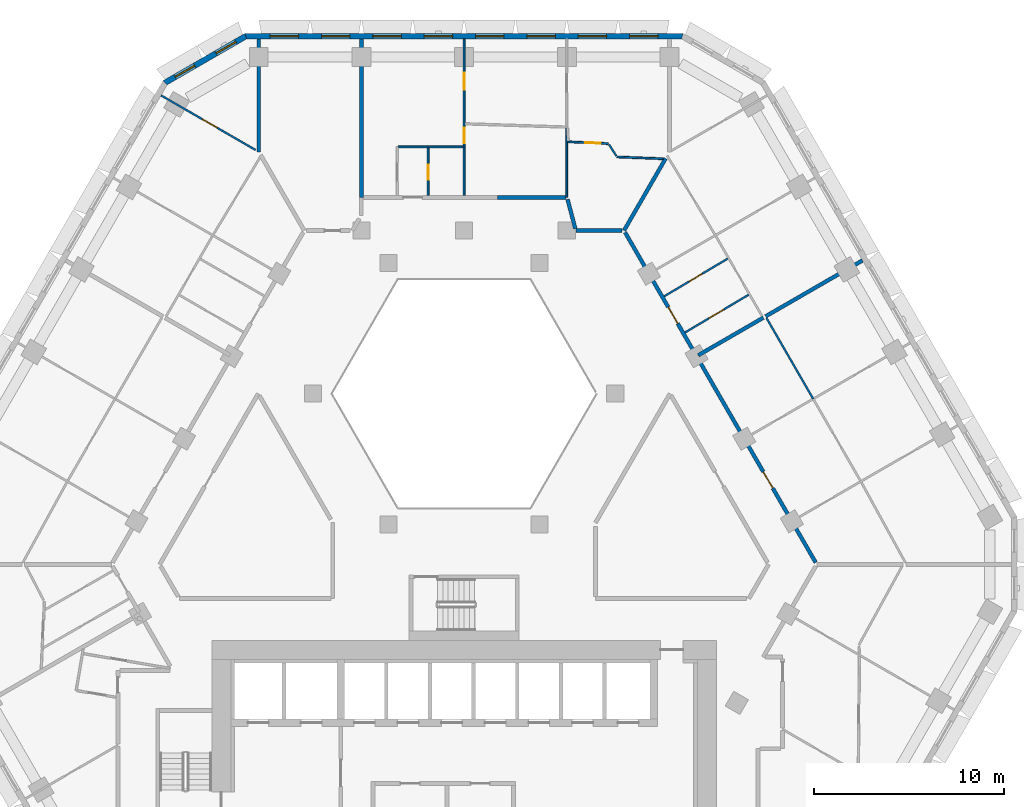
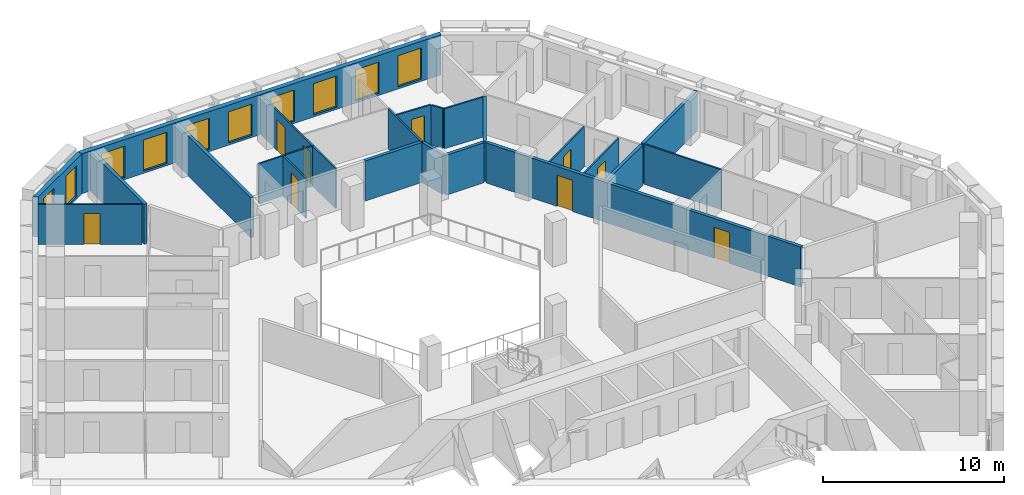
# One storey, part 9 of 18: 23 walls, 10 windows, 9 doors, 19 openings.
"""IFC4 building model written with IfcOpenShell, lengths in metres."""

from ifc_helpers import new_model, si_unit, direction, frame, frame_2d, origin, place, context, subcontext, project, spatial, polyline, rectangle, outline, extrude, material, layer, layer_set, type_object, element, fill, save


model = new_model("IFC4")

# Units and contexts
model_context = context("Model", 3, precision=1e-05, world=origin(), true_north=direction((0.0, 1.0)))
body_context = subcontext(model_context, "Body", "Model", "MODEL_VIEW")
ifc_project = project(units=[si_unit("LENGTHUNIT", "METRE"), si_unit("AREAUNIT", "SQUARE_METRE"), si_unit("VOLUMEUNIT", "CUBIC_METRE"), si_unit("PLANEANGLEUNIT", "RADIAN"), si_unit("MASSUNIT", "GRAM", prefix="KILO")], contexts=[model_context])

# Site, building, storey
site_placement = place(None, origin())
site = spatial("IfcSite", under=ifc_project, at=site_placement, CompositionType="ELEMENT")
building_placement = place(site_placement, origin())
building = spatial("IfcBuilding", under=site, at=building_placement, Name="Beryl Residences", CompositionType="ELEMENT")
storey_placement = place(building_placement, frame((0.0, 0.0, 99.0)))
storey = spatial("IfcBuildingStorey", under=building, at=storey_placement, Name="L30", CompositionType="ELEMENT", Elevation=99.0)

# Wall, openings, windows
ifc_material_1 = material(Name="Composite metal panel with mineral wool insulation")
ifc_layer_1 = layer(ifc_material_1, 0.300048828125)
ifc_layer_set_1 = layer_set([ifc_layer_1], Name="ES1 pale metal composite panel wall 300 mm")
wall_type_1 = type_object("IfcWallType", Name="ES1 pale metal composite panel wall 300 mm", PredefinedType="SOLIDWALL", material=ifc_layer_set_1)
wall_1_placement = place(storey_placement, frame((11.547119140625, 26.85009765625, 0.0), z_axis=(0.0, 0.0, 1.0), x_axis=(-1.0, 0.0, 0.0)))
wall_1 = element("IfcWall", 1, at=wall_1_placement, inside=storey, type_object=wall_type_1, Name="ES1 external wall L30 N", PredefinedType="SOLIDWALL", context=body_context, shape_type="SweptSolid", body=[
    extrude(outline(polyline([(0.0, -0.14990234375), (23.09423828125, -0.14990234375), (23.013916015625, 0.14990234375), (0.080322265625, 0.14990234375), (0.0, -0.14990234375)])), origin(), (0.0, 0.0, 1.0), 2.699951171875),
])
opening_1_placement = place(wall_1_placement, frame((1.324951171875, 0.0, 0.14990234375)))
opening_1 = element("IfcOpeningElement", 2, at=opening_1_placement, cuts=wall_1, Name="Opening W1", PredefinedType="OPENING", context=body_context, shape_type="SweptSolid", body=[
    extrude(rectangle(XDim=1.5, YDim=2.10009765625, at=frame_2d((0.75, 1.050048828125))), frame((0.0, 0.159912109375, 0.0), z_axis=(0.0, -1.0, 0.0), x_axis=(1.0, 0.0, 0.0)), (0.0, 0.0, 1.0), 0.320068359375),
])
opening_2_placement = place(wall_1_placement, frame((4.031982421875, 0.0, 0.14990234375)))
opening_2 = element("IfcOpeningElement", 3, at=opening_2_placement, cuts=wall_1, Name="Opening W1", PredefinedType="OPENING", context=body_context, shape_type="SweptSolid", body=[
    extrude(rectangle(XDim=1.5, YDim=2.10009765625, at=frame_2d((0.75, 1.050048828125))), frame((0.0, 0.159912109375, 0.0), z_axis=(0.0, -1.0, 0.0), x_axis=(1.0, 0.0, 0.0)), (0.0, 0.0, 1.0), 0.320068359375),
])
opening_3_placement = place(wall_1_placement, frame((6.738037109375, 0.0, 0.14990234375)))
opening_3 = element("IfcOpeningElement", 4, at=opening_3_placement, cuts=wall_1, Name="Opening W1", PredefinedType="OPENING", context=body_context, shape_type="SweptSolid", body=[
    extrude(rectangle(XDim=1.5, YDim=2.10009765625, at=frame_2d((0.75, 1.050048828125))), frame((0.0, 0.159912109375, 0.0), z_axis=(0.0, -1.0, 0.0), x_axis=(1.0, 0.0, 0.0)), (0.0, 0.0, 1.0), 0.320068359375),
])
opening_4_placement = place(wall_1_placement, frame((9.445068359375, 0.0, 0.14990234375)))
opening_4 = element("IfcOpeningElement", 5, at=opening_4_placement, cuts=wall_1, Name="Opening W1", PredefinedType="OPENING", context=body_context, shape_type="SweptSolid", body=[
    extrude(rectangle(XDim=1.5, YDim=2.10009765625, at=frame_2d((0.75, 1.050048828125))), frame((0.0, 0.159912109375, 0.0), z_axis=(0.0, -1.0, 0.0), x_axis=(1.0, 0.0, 0.0)), (0.0, 0.0, 1.0), 0.320068359375),
])
opening_5_placement = place(wall_1_placement, frame((12.15087890625, 0.0, 0.14990234375)))
opening_5 = element("IfcOpeningElement", 6, at=opening_5_placement, cuts=wall_1, Name="Opening W1", PredefinedType="OPENING", context=body_context, shape_type="SweptSolid", body=[
    extrude(rectangle(XDim=1.5, YDim=2.10009765625, at=frame_2d((0.75, 1.050048828125))), frame((0.0, 0.159912109375, 0.0), z_axis=(0.0, -1.0, 0.0), x_axis=(1.0, 0.0, 0.0)), (0.0, 0.0, 1.0), 0.320068359375),
])
opening_6_placement = place(wall_1_placement, frame((14.85791015625, 0.0, 0.14990234375)))
opening_6 = element("IfcOpeningElement", 7, at=opening_6_placement, cuts=wall_1, Name="Opening W1", PredefinedType="OPENING", context=body_context, shape_type="SweptSolid", body=[
    extrude(rectangle(XDim=1.5, YDim=2.10009765625, at=frame_2d((0.75, 1.050048828125))), frame((0.0, 0.159912109375, 0.0), z_axis=(0.0, -1.0, 0.0), x_axis=(1.0, 0.0, 0.0)), (0.0, 0.0, 1.0), 0.320068359375),
])
opening_7_placement = place(wall_1_placement, frame((17.56396484375, 0.0, 0.14990234375)))
opening_7 = element("IfcOpeningElement", 8, at=opening_7_placement, cuts=wall_1, Name="Opening W1", PredefinedType="OPENING", context=body_context, shape_type="SweptSolid", body=[
    extrude(rectangle(XDim=1.5, YDim=2.10009765625, at=frame_2d((0.75, 1.050048828125))), frame((0.0, 0.159912109375, 0.0), z_axis=(0.0, -1.0, 0.0), x_axis=(1.0, 0.0, 0.0)), (0.0, 0.0, 1.0), 0.320068359375),
])
opening_8_placement = place(wall_1_placement, frame((20.27099609375, 0.0, 0.14990234375)))
opening_8 = element("IfcOpeningElement", 9, at=opening_8_placement, cuts=wall_1, Name="Opening W1", PredefinedType="OPENING", context=body_context, shape_type="SweptSolid", body=[
    extrude(rectangle(XDim=1.5, YDim=2.10009765625, at=frame_2d((0.75, 1.050048828125))), frame((0.0, 0.159912109375, 0.0), z_axis=(0.0, -1.0, 0.0), x_axis=(1.0, 0.0, 0.0)), (0.0, 0.0, 1.0), 0.320068359375),
])
ifc_material_2 = material(Name="Aluminium and clear glass", Category="aluminium")
window_type_1 = type_object("IfcWindowType", Name="W1 cell window 1500 x 2100 mm", PartitioningType="SINGLE_PANEL", PredefinedType="WINDOW", material=ifc_material_2)
window_1_placement = place(opening_1_placement, origin())
window_1 = element("IfcWindow", 10, at=window_1_placement, inside=storey, type_object=window_type_1, Name="W1 window L30 N 1", OverallHeight=2.10009765625, OverallWidth=1.5, PartitioningType="SINGLE_PANEL", PredefinedType="WINDOW", context=body_context, shape_type="SweptSolid", body=[
    extrude(rectangle(XDim=1.5, YDim=2.10009765625, at=frame_2d((0.75, 1.050048828125))), frame((0.0, 0.030029296875, 0.0), z_axis=(0.0, -1.0, 0.0), x_axis=(1.0, 0.0, 0.0)), (0.0, 0.0, 1.0), 0.06005859375),
])
fill(opening_1, window_1)
window_2_placement = place(opening_2_placement, origin())
window_2 = element("IfcWindow", 11, at=window_2_placement, inside=storey, type_object=window_type_1, Name="W1 window L30 N 2", OverallHeight=2.10009765625, OverallWidth=1.5, PartitioningType="SINGLE_PANEL", PredefinedType="WINDOW", context=body_context, shape_type="SweptSolid", body=[
    extrude(rectangle(XDim=1.5, YDim=2.10009765625, at=frame_2d((0.75, 1.050048828125))), frame((0.0, 0.030029296875, 0.0), z_axis=(0.0, -1.0, 0.0), x_axis=(1.0, 0.0, 0.0)), (0.0, 0.0, 1.0), 0.06005859375),
])
fill(opening_2, window_2)
window_3_placement = place(opening_3_placement, origin())
window_3 = element("IfcWindow", 12, at=window_3_placement, inside=storey, type_object=window_type_1, Name="W1 window L30 N 3", OverallHeight=2.10009765625, OverallWidth=1.5, PartitioningType="SINGLE_PANEL", PredefinedType="WINDOW", context=body_context, shape_type="SweptSolid", body=[
    extrude(rectangle(XDim=1.5, YDim=2.10009765625, at=frame_2d((0.75, 1.050048828125))), frame((0.0, 0.030029296875, 0.0), z_axis=(0.0, -1.0, 0.0), x_axis=(1.0, 0.0, 0.0)), (0.0, 0.0, 1.0), 0.06005859375),
])
fill(opening_3, window_3)
window_4_placement = place(opening_4_placement, origin())
window_4 = element("IfcWindow", 13, at=window_4_placement, inside=storey, type_object=window_type_1, Name="W1 window L30 N 4", OverallHeight=2.10009765625, OverallWidth=1.5, PartitioningType="SINGLE_PANEL", PredefinedType="WINDOW", context=body_context, shape_type="SweptSolid", body=[
    extrude(rectangle(XDim=1.5, YDim=2.10009765625, at=frame_2d((0.75, 1.050048828125))), frame((0.0, 0.030029296875, 0.0), z_axis=(0.0, -1.0, 0.0), x_axis=(1.0, 0.0, 0.0)), (0.0, 0.0, 1.0), 0.06005859375),
])
fill(opening_4, window_4)
window_5_placement = place(opening_5_placement, origin())
window_5 = element("IfcWindow", 14, at=window_5_placement, inside=storey, type_object=window_type_1, Name="W1 window L30 N 5", OverallHeight=2.10009765625, OverallWidth=1.5, PartitioningType="SINGLE_PANEL", PredefinedType="WINDOW", context=body_context, shape_type="SweptSolid", body=[
    extrude(rectangle(XDim=1.5, YDim=2.10009765625, at=frame_2d((0.75, 1.050048828125))), frame((0.0, 0.030029296875, 0.0), z_axis=(0.0, -1.0, 0.0), x_axis=(1.0, 0.0, 0.0)), (0.0, 0.0, 1.0), 0.06005859375),
])
fill(opening_5, window_5)
window_6_placement = place(opening_6_placement, origin())
window_6 = element("IfcWindow", 15, at=window_6_placement, inside=storey, type_object=window_type_1, Name="W1 window L30 N 6", OverallHeight=2.10009765625, OverallWidth=1.5, PartitioningType="SINGLE_PANEL", PredefinedType="WINDOW", context=body_context, shape_type="SweptSolid", body=[
    extrude(rectangle(XDim=1.5, YDim=2.10009765625, at=frame_2d((0.75, 1.050048828125))), frame((0.0, 0.030029296875, 0.0), z_axis=(0.0, -1.0, 0.0), x_axis=(1.0, 0.0, 0.0)), (0.0, 0.0, 1.0), 0.06005859375),
])
fill(opening_6, window_6)
window_7_placement = place(opening_7_placement, origin())
window_7 = element("IfcWindow", 16, at=window_7_placement, inside=storey, type_object=window_type_1, Name="W1 window L30 N 7", OverallHeight=2.10009765625, OverallWidth=1.5, PartitioningType="SINGLE_PANEL", PredefinedType="WINDOW", context=body_context, shape_type="SweptSolid", body=[
    extrude(rectangle(XDim=1.5, YDim=2.10009765625, at=frame_2d((0.75, 1.050048828125))), frame((0.0, 0.030029296875, 0.0), z_axis=(0.0, -1.0, 0.0), x_axis=(1.0, 0.0, 0.0)), (0.0, 0.0, 1.0), 0.06005859375),
])
fill(opening_7, window_7)
window_8_placement = place(opening_8_placement, origin())
window_8 = element("IfcWindow", 17, at=window_8_placement, inside=storey, type_object=window_type_1, Name="W1 window L30 N 8", OverallHeight=2.10009765625, OverallWidth=1.5, PartitioningType="SINGLE_PANEL", PredefinedType="WINDOW", context=body_context, shape_type="SweptSolid", body=[
    extrude(rectangle(XDim=1.5, YDim=2.10009765625, at=frame_2d((0.75, 1.050048828125))), frame((0.0, 0.030029296875, 0.0), z_axis=(0.0, -1.0, 0.0), x_axis=(1.0, 0.0, 0.0)), (0.0, 0.0, 1.0), 0.06005859375),
])
fill(opening_8, window_8)

wall_2_placement = place(storey_placement, frame((-11.471923828125, 26.8701171875, 0.0), z_axis=(0.0, 0.0, 1.0), x_axis=(-0.866022959057, -0.500004234368, 0.0)))
wall_2 = element("IfcWall", 18, at=wall_2_placement, inside=storey, type_object=wall_type_1, Name="ES1 external wall L30 N-NW", PredefinedType="SOLIDWALL", context=body_context, shape_type="SweptSolid", body=[
    extrude(outline(polyline([(0.0, -0.14990234375), (5.0, -0.14990234375), (4.919677734375, 0.14990234375), (0.080322265625, 0.14990234375), (0.0, -0.14990234375)])), origin(), (0.0, 0.0, 1.0), 2.699951171875),
])
opening_9_placement = place(wall_2_placement, frame((0.64990234375, 0.0, 0.14990234375)))
opening_9 = element("IfcOpeningElement", 19, at=opening_9_placement, cuts=wall_2, Name="Opening W2", PredefinedType="OPENING", context=body_context, shape_type="SweptSolid", body=[
    extrude(rectangle(XDim=1.199951171875, YDim=2.10009765625, at=frame_2d((0.60009765625, 1.050048828125))), frame((0.0, 0.159912109375, 0.0), z_axis=(0.0, -1.0, 0.0), x_axis=(1.0, 0.0, 0.0)), (0.0, 0.0, 1.0), 0.320068359375),
])
opening_10_placement = place(wall_2_placement, frame((3.14892578125, 0.0, 0.14990234375)))
opening_10 = element("IfcOpeningElement", 20, at=opening_10_placement, cuts=wall_2, Name="Opening W2", PredefinedType="OPENING", context=body_context, shape_type="SweptSolid", body=[
    extrude(rectangle(XDim=1.199951171875, YDim=2.10009765625, at=frame_2d((0.60009765625, 1.050048828125))), frame((0.0, 0.159912109375, 0.0), z_axis=(0.0, -1.0, 0.0), x_axis=(1.0, 0.0, 0.0)), (0.0, 0.0, 1.0), 0.320068359375),
])
ifc_material_3 = material(Name="Aluminium and clear glass", Category="aluminium")
window_type_2 = type_object("IfcWindowType", Name="W2 chamfer window 1200 x 2100 mm", PartitioningType="SINGLE_PANEL", PredefinedType="WINDOW", material=ifc_material_3)
window_9_placement = place(opening_9_placement, origin())
window_9 = element("IfcWindow", 21, at=window_9_placement, inside=storey, type_object=window_type_2, Name="W2 window L30 N-NW 1", OverallHeight=2.10009765625, OverallWidth=1.199951171875, PartitioningType="SINGLE_PANEL", PredefinedType="WINDOW", context=body_context, shape_type="SweptSolid", body=[
    extrude(rectangle(XDim=1.199951171875, YDim=2.10009765625, at=frame_2d((0.60009765625, 1.050048828125))), frame((0.0, 0.030029296875, 0.0), z_axis=(0.0, -1.0, 0.0), x_axis=(1.0, 0.0, 0.0)), (0.0, 0.0, 1.0), 0.06005859375),
])
fill(opening_9, window_9)
window_10_placement = place(opening_10_placement, origin())
window_10 = element("IfcWindow", 22, at=window_10_placement, inside=storey, type_object=window_type_2, Name="W2 window L30 N-NW 2", OverallHeight=2.10009765625, OverallWidth=1.199951171875, PartitioningType="SINGLE_PANEL", PredefinedType="WINDOW", context=body_context, shape_type="SweptSolid", body=[
    extrude(rectangle(XDim=1.199951171875, YDim=2.10009765625, at=frame_2d((0.60009765625, 1.050048828125))), frame((0.0, 0.030029296875, 0.0), z_axis=(0.0, -1.0, 0.0), x_axis=(1.0, 0.0, 0.0)), (0.0, 0.0, 1.0), 0.06005859375),
])
fill(opening_10, window_10)

# Walls
ifc_material_4 = material(Name="Gypsum board partition on steel studs", Category="steel")
ifc_layer_2 = layer(ifc_material_4, 0.10009765625)
ifc_layer_set_2 = layer_set([ifc_layer_2], Name="PT1 partition 100 mm gypsum board on steel studs")
wall_type_2 = type_object("IfcWallType", Name="PT1 partition 100 mm gypsum board on steel studs", PredefinedType="PARTITIONING", material=ifc_layer_set_2)
wall_3_placement = place(storey_placement, frame((7.64306640625, 21.12890625, 0.0), z_axis=(0.0, 0.0, 1.0), x_axis=(0.540427628168, -0.841390503104, 0.0)))
element("IfcWall", 23, at=wall_3_placement, inside=storey, type_object=wall_type_2, Name="Wall PT1 L30 001", PredefinedType="PARTITIONING", context=body_context, shape_type="SweptSolid", body=[
    extrude(rectangle(XDim=0.710693359375, YDim=0.10009765625, at=frame_2d((0.35546875, 0.0))), origin(), (0.0, 0.0, 1.0), 2.699951171875),
])
wall_4_placement = place(storey_placement, frame((15.94189453125, 11.988037109375, 0.0), z_axis=(0.0, 0.0, 1.0), x_axis=(0.499995794706, -0.866027831699, 0.0)))
element("IfcWall", 24, at=wall_4_placement, inside=storey, type_object=wall_type_2, Name="Wall PT1 L30 004", PredefinedType="PARTITIONING", context=body_context, shape_type="SweptSolid", body=[
    extrude(rectangle(XDim=4.92236328125, YDim=0.10009765625, at=frame_2d((2.461181640625, 0.0))), origin(), (0.0, 0.0, 1.0), 2.699951171875),
])
wall_5_placement = place(storey_placement, frame((-0.0009765625, 20.97998046875, 0.0), z_axis=(0.0, 0.0, 1.0), x_axis=(0.0, -1.0, 0.0)))
element("IfcWall", 25, at=wall_5_placement, inside=storey, type_object=wall_type_2, Name="Wall PT1 L30 011", PredefinedType="PARTITIONING", context=body_context, shape_type="SweptSolid", body=[
    extrude(rectangle(XDim=2.530029296875, YDim=0.10009765625, at=frame_2d((1.26513671875, 0.0))), origin(), (0.0, 0.0, 1.0), 2.699951171875),
])
wall_6_placement = place(storey_placement, frame((5.412109375, 22.0048828125, 0.0), z_axis=(0.0, 0.0, 1.0), x_axis=(0.0, -1.0, 0.0)))
element("IfcWall", 26, at=wall_6_placement, inside=storey, type_object=wall_type_2, Name="Wall PT1 L30 012", PredefinedType="PARTITIONING", context=body_context, shape_type="SweptSolid", body=[
    extrude(rectangle(XDim=3.656982421875, YDim=0.10009765625, at=frame_2d((1.82861328125, 0.0))), origin(), (0.0, 0.0, 1.0), 2.699951171875),
])
wall_7_placement = place(storey_placement, frame((8.06005859375, 20.47998046875, 0.0), z_axis=(0.0, 0.0, 1.0), x_axis=(0.999243345912, -0.038893902497, 0.0)))
element("IfcWall", 27, at=wall_7_placement, inside=storey, type_object=wall_type_2, Name="Wall PT1 L30 015", PredefinedType="PARTITIONING", context=body_context, shape_type="SweptSolid", body=[
    extrude(rectangle(XDim=2.44189453125, YDim=0.10009765625, at=frame_2d((1.220947265625, 0.0))), origin(), (0.0, 0.0, 1.0), 2.699951171875),
])

# Wall, opening, door
wall_8_placement = place(storey_placement, frame((5.489990234375, 21.280029296875, 0.0), z_axis=(0.0, 0.0, 1.0), x_axis=(0.998907627838, -0.046728482187, 0.0)))
wall_8 = element("IfcWall", 28, at=wall_8_placement, inside=storey, type_object=wall_type_2, Name="Wall PT1 L30 017", PredefinedType="PARTITIONING", context=body_context, shape_type="SweptSolid", body=[
    extrude(rectangle(XDim=2.12109375, YDim=0.10009765625, at=frame_2d((1.060546875, 0.0))), origin(), (0.0, 0.0, 1.0), 2.699951171875),
])
opening_11_placement = place(wall_8_placement, frame((0.902099609375, 0.0, 0.0)))
opening_11 = element("IfcOpeningElement", 29, at=opening_11_placement, cuts=wall_8, Name="Opening D0740", PredefinedType="OPENING", context=body_context, shape_type="SweptSolid", body=[
    extrude(rectangle(XDim=0.800048828125, YDim=2.10009765625, at=frame_2d((0.39990234375, 1.050048828125))), frame((0.0, 0.06005859375, 0.0), z_axis=(0.0, -1.0, 0.0), x_axis=(1.0, 0.0, 0.0)), (0.0, 0.0, 1.0), 0.1201171875),
])
ifc_material_5 = material(Name="Timber door leaf", Category="wood")
door_type_1 = type_object("IfcDoorType", Name="D3 bathroom door 800 x 2100 mm", OperationType="SINGLE_SWING_LEFT", PredefinedType="DOOR", material=ifc_material_5)
door_1_placement = place(opening_11_placement, origin())
door_1 = element("IfcDoor", 30, at=door_1_placement, inside=storey, type_object=door_type_1, Name="Door D0740 L30 001", OperationType="SINGLE_SWING_RIGHT", OverallHeight=2.10009765625, OverallWidth=0.800048828125, PredefinedType="DOOR", context=body_context, shape_type="SweptSolid", body=[
    extrude(rectangle(XDim=0.800048828125, YDim=2.10009765625, at=frame_2d((0.39990234375, 1.050048828125))), frame((0.0, 0.02490234375, 0.0), z_axis=(0.0, -1.0, 0.0), x_axis=(1.0, 0.0, 0.0)), (0.0, 0.0, 1.0), 0.050048828125),
])
fill(opening_11, door_1)

wall_9_placement = place(storey_placement, frame((-15.97705078125, 23.72509765625, 0.0), z_axis=(0.0, 0.0, 1.0), x_axis=(0.866028566888, -0.499994521305, 0.0)))
wall_9 = element("IfcWall", 31, at=wall_9_placement, inside=storey, type_object=wall_type_2, Name="Wall PT1 L30 026", PredefinedType="PARTITIONING", context=body_context, shape_type="SweptSolid", body=[
    extrude(rectangle(XDim=5.748046875, YDim=0.10009765625, at=frame_2d((2.8740234375, 0.0))), origin(), (0.0, 0.0, 1.0), 2.699951171875),
])
opening_12_placement = place(wall_9_placement, frame((2.52392578125, 0.0, 0.0)))
opening_12 = element("IfcOpeningElement", 32, at=opening_12_placement, cuts=wall_9, Name="Opening D0747", PredefinedType="OPENING", context=body_context, shape_type="SweptSolid", body=[
    extrude(rectangle(XDim=0.89990234375, YDim=2.10009765625, at=frame_2d((0.449951171875, 1.050048828125))), frame((0.0, 0.06005859375, 0.0), z_axis=(0.0, -1.0, 0.0), x_axis=(1.0, 0.0, 0.0)), (0.0, 0.0, 1.0), 0.1201171875),
])
ifc_material_6 = material(Name="Timber door leaf", Category="wood")
door_type_2 = type_object("IfcDoorType", Name="D2 room door 900 x 2100 mm", OperationType="SINGLE_SWING_LEFT", PredefinedType="DOOR", material=ifc_material_6)
door_2_placement = place(opening_12_placement, origin())
door_2 = element("IfcDoor", 33, at=door_2_placement, inside=storey, type_object=door_type_2, Name="Door D0747 L30 001", OperationType="SINGLE_SWING_LEFT", OverallHeight=2.10009765625, OverallWidth=0.89990234375, PredefinedType="DOOR", context=body_context, shape_type="SweptSolid", body=[
    extrude(rectangle(XDim=0.89990234375, YDim=2.10009765625, at=frame_2d((0.449951171875, 1.050048828125))), frame((0.0, 0.02490234375, 0.0), z_axis=(0.0, -1.0, 0.0), x_axis=(1.0, 0.0, 0.0)), (0.0, 0.0, 1.0), 0.050048828125),
])
fill(opening_12, door_2)

# Wall
wall_10_placement = place(storey_placement, frame((-3.468994140625, 21.010009765625, 0.0), z_axis=(0.0, 0.0, 1.0), x_axis=(1.0, 0.0, 0.0)))
element("IfcWall", 34, at=wall_10_placement, inside=storey, type_object=wall_type_2, Name="Wall PT1 L30 029", PredefinedType="PARTITIONING", context=body_context, shape_type="SweptSolid", body=[
    extrude(rectangle(XDim=3.41796875, YDim=0.10009765625, at=frame_2d((1.708984375, 0.0))), origin(), (0.0, 0.0, 1.0), 2.699951171875),
])

# Wall, openings, doors
wall_11_placement = place(storey_placement, frame((-0.0009765625, 20.989990234375, 0.0), z_axis=(0.0, 0.0, 1.0), x_axis=(0.0, 1.0, 0.0)))
wall_11 = element("IfcWall", 35, at=wall_11_placement, inside=storey, type_object=wall_type_2, Name="Wall PT1 L30 045", PredefinedType="PARTITIONING", context=body_context, shape_type="SweptSolid", body=[
    extrude(rectangle(XDim=5.7099609375, YDim=0.10009765625, at=frame_2d((2.85498046875, 0.0))), origin(), (0.0, 0.0, 1.0), 2.699951171875),
])
opening_13_placement = place(wall_11_placement, frame((3.02490234375, 0.0, 0.0)))
opening_13 = element("IfcOpeningElement", 36, at=opening_13_placement, cuts=wall_11, Name="Opening D0737", PredefinedType="OPENING", context=body_context, shape_type="SweptSolid", body=[
    extrude(rectangle(XDim=0.89990234375, YDim=2.10009765625, at=frame_2d((0.449951171875, 1.050048828125))), frame((0.0, 0.06005859375, 0.0), z_axis=(0.0, -1.0, 0.0), x_axis=(1.0, 0.0, 0.0)), (0.0, 0.0, 1.0), 0.1201171875),
])
opening_14_placement = place(wall_11_placement, frame((0.219970703125, 0.0, 0.0)))
opening_14 = element("IfcOpeningElement", 37, at=opening_14_placement, cuts=wall_11, Name="Opening D0738", PredefinedType="OPENING", context=body_context, shape_type="SweptSolid", body=[
    extrude(rectangle(XDim=0.800048828125, YDim=2.10009765625, at=frame_2d((0.39990234375, 1.050048828125))), frame((0.0, 0.06005859375, 0.0), z_axis=(0.0, -1.0, 0.0), x_axis=(1.0, 0.0, 0.0)), (0.0, 0.0, 1.0), 0.1201171875),
])
door_3_placement = place(opening_13_placement, origin())
door_3 = element("IfcDoor", 38, at=door_3_placement, inside=storey, type_object=door_type_2, Name="Door D0737 L30 001", OperationType="SINGLE_SWING_LEFT", OverallHeight=2.10009765625, OverallWidth=0.89990234375, PredefinedType="DOOR", context=body_context, shape_type="SweptSolid", body=[
    extrude(rectangle(XDim=0.89990234375, YDim=2.10009765625, at=frame_2d((0.449951171875, 1.050048828125))), frame((0.0, 0.02490234375, 0.0), z_axis=(0.0, -1.0, 0.0), x_axis=(1.0, 0.0, 0.0)), (0.0, 0.0, 1.0), 0.050048828125),
])
fill(opening_13, door_3)
door_4_placement = place(opening_14_placement, origin())
door_4 = element("IfcDoor", 39, at=door_4_placement, inside=storey, type_object=door_type_1, Name="Door D0738 L30 001", OperationType="SINGLE_SWING_RIGHT", OverallHeight=2.10009765625, OverallWidth=0.800048828125, PredefinedType="DOOR", context=body_context, shape_type="SweptSolid", body=[
    extrude(rectangle(XDim=0.800048828125, YDim=2.10009765625, at=frame_2d((0.39990234375, 1.050048828125))), frame((0.0, 0.02490234375, 0.0), z_axis=(0.0, -1.0, 0.0), x_axis=(1.0, 0.0, 0.0)), (0.0, 0.0, 1.0), 0.050048828125),
])
fill(opening_14, door_4)

# Wall, opening, door
wall_12_placement = place(storey_placement, frame((-1.89599609375, 18.449951171875, 0.0), z_axis=(0.0, 0.0, 1.0), x_axis=(0.0, 1.0, 0.0)))
wall_12 = element("IfcWall", 40, at=wall_12_placement, inside=storey, type_object=wall_type_2, Name="Wall PT1 L30 049", PredefinedType="PARTITIONING", context=body_context, shape_type="SweptSolid", body=[
    extrude(rectangle(XDim=2.510009765625, YDim=0.10009765625, at=frame_2d((1.2548828125, 0.0))), origin(), (0.0, 0.0, 1.0), 2.699951171875),
])
opening_15_placement = place(wall_12_placement, frame((0.830078125, 0.0, 0.0)))
opening_15 = element("IfcOpeningElement", 41, at=opening_15_placement, cuts=wall_12, Name="Opening D0736", PredefinedType="OPENING", context=body_context, shape_type="SweptSolid", body=[
    extrude(rectangle(XDim=0.800048828125, YDim=2.10009765625, at=frame_2d((0.39990234375, 1.050048828125))), frame((0.0, 0.06005859375, 0.0), z_axis=(0.0, -1.0, 0.0), x_axis=(1.0, 0.0, 0.0)), (0.0, 0.0, 1.0), 0.1201171875),
])
door_5_placement = place(opening_15_placement, origin())
door_5 = element("IfcDoor", 42, at=door_5_placement, inside=storey, type_object=door_type_1, Name="Door D0736 L30 001", OperationType="SINGLE_SWING_RIGHT", OverallHeight=2.10009765625, OverallWidth=0.800048828125, PredefinedType="DOOR", context=body_context, shape_type="SweptSolid", body=[
    extrude(rectangle(XDim=0.800048828125, YDim=2.10009765625, at=frame_2d((0.39990234375, 1.050048828125))), frame((0.0, 0.02490234375, 0.0), z_axis=(0.0, -1.0, 0.0), x_axis=(1.0, 0.0, 0.0)), (0.0, 0.0, 1.0), 0.050048828125),
])
fill(opening_15, door_5)

wall_13_placement = place(storey_placement, frame((11.64697265625, 11.22705078125, 0.0), z_axis=(0.0, 0.0, 1.0), x_axis=(0.859997349349, 0.510298500011, 0.0)))
wall_13 = element("IfcWall", 43, at=wall_13_placement, inside=storey, type_object=wall_type_2, Name="Wall PT1 L30 059", PredefinedType="PARTITIONING", context=body_context, shape_type="SweptSolid", body=[
    extrude(rectangle(XDim=3.897705078125, YDim=0.10009765625, at=frame_2d((1.94873046875, 0.0))), origin(), (0.0, 0.0, 1.0), 2.699951171875),
])
opening_16_placement = place(wall_13_placement, frame((1.472900390625, 0.0, 0.0)))
opening_16 = element("IfcOpeningElement", 44, at=opening_16_placement, cuts=wall_13, Name="Opening D0729", PredefinedType="OPENING", context=body_context, shape_type="SweptSolid", body=[
    extrude(rectangle(XDim=0.89990234375, YDim=2.10009765625, at=frame_2d((0.449951171875, 1.050048828125))), frame((0.0, 0.06005859375, 0.0), z_axis=(0.0, -1.0, 0.0), x_axis=(1.0, 0.0, 0.0)), (0.0, 0.0, 1.0), 0.1201171875),
])
door_6_placement = place(opening_16_placement, origin())
door_6 = element("IfcDoor", 45, at=door_6_placement, inside=storey, type_object=door_type_2, Name="Door D0729 L30 001", OperationType="SINGLE_SWING_LEFT", OverallHeight=2.10009765625, OverallWidth=0.89990234375, PredefinedType="DOOR", context=body_context, shape_type="SweptSolid", body=[
    extrude(rectangle(XDim=0.89990234375, YDim=2.10009765625, at=frame_2d((0.449951171875, 1.050048828125))), frame((0.0, 0.02490234375, 0.0), z_axis=(0.0, -1.0, 0.0), x_axis=(1.0, 0.0, 0.0)), (0.0, 0.0, 1.0), 0.050048828125),
])
fill(opening_16, door_6)

wall_14_placement = place(storey_placement, frame((10.547119140625, 13.133056640625, 0.0), z_axis=(0.0, 0.0, 1.0), x_axis=(0.860090994311, 0.510140648749, 0.0)))
wall_14 = element("IfcWall", 46, at=wall_14_placement, inside=storey, type_object=wall_type_2, Name="Wall PT1 L30 060", PredefinedType="PARTITIONING", context=body_context, shape_type="SweptSolid", body=[
    extrude(rectangle(XDim=3.89697265625, YDim=0.10009765625, at=frame_2d((1.948486328125, 0.0))), origin(), (0.0, 0.0, 1.0), 2.699951171875),
])
opening_17_placement = place(wall_14_placement, frame((1.52294921875, 0.0, 0.0)))
opening_17 = element("IfcOpeningElement", 47, at=opening_17_placement, cuts=wall_14, Name="Opening D0728", PredefinedType="OPENING", context=body_context, shape_type="SweptSolid", body=[
    extrude(rectangle(XDim=0.800048828125, YDim=2.10009765625, at=frame_2d((0.39990234375, 1.050048828125))), frame((0.0, 0.06005859375, 0.0), z_axis=(0.0, -1.0, 0.0), x_axis=(1.0, 0.0, 0.0)), (0.0, 0.0, 1.0), 0.1201171875),
])
door_7_placement = place(opening_17_placement, origin())
door_7 = element("IfcDoor", 48, at=door_7_placement, inside=storey, type_object=door_type_1, Name="Door D0728 L30 001", OperationType="SINGLE_SWING_RIGHT", OverallHeight=2.10009765625, OverallWidth=0.800048828125, PredefinedType="DOOR", context=body_context, shape_type="SweptSolid", body=[
    extrude(rectangle(XDim=0.800048828125, YDim=2.10009765625, at=frame_2d((0.39990234375, 1.050048828125))), frame((0.0, 0.02490234375, 0.0), z_axis=(0.0, -1.0, 0.0), x_axis=(1.0, 0.0, 0.0)), (0.0, 0.0, 1.0), 0.050048828125),
])
fill(opening_17, door_7)

# Walls
ifc_material_7 = material(Name="Acoustic double stud gypsum board wall")
ifc_layer_3 = layer(ifc_material_7, 0.199951171875)
ifc_layer_set_3 = layer_set([ifc_layer_3], Name="PT3 party wall 200 mm acoustic double stud")
wall_type_3 = type_object("IfcWallType", Name="PT3 party wall 200 mm acoustic double stud", PredefinedType="PARTITIONING", material=ifc_layer_set_3)
wall_15_placement = place(storey_placement, frame((-5.4140625, 26.699951171875, 0.0), z_axis=(0.0, 0.0, 1.0), x_axis=(0.0, -1.0, 0.0)))
element("IfcWall", 49, at=wall_15_placement, inside=storey, type_object=wall_type_3, Name="Wall PT3 L30 002", PredefinedType="PARTITIONING", context=body_context, shape_type="SweptSolid", body=[
    extrude(rectangle(XDim=8.349853515625, YDim=0.199951171875, at=frame_2d((4.1748046875, 0.0))), origin(), (0.0, 0.0, 1.0), 2.699951171875),
])
wall_16_placement = place(storey_placement, frame((8.429931640625, 16.60009765625, 0.0), z_axis=(0.0, 0.0, 1.0), x_axis=(0.500072613115, 0.865983476524, 0.0)))
element("IfcWall", 50, at=wall_16_placement, inside=storey, type_object=wall_type_3, Name="Wall PT3 L30 012", PredefinedType="PARTITIONING", context=body_context, shape_type="SweptSolid", body=[
    extrude(rectangle(XDim=4.385498046875, YDim=0.199951171875, at=frame_2d((2.19287109375, 0.0))), origin(), (0.0, 0.0, 1.0), 2.699951171875),
])
wall_17_placement = place(storey_placement, frame((-10.826904296875, 20.7529296875, 0.0), z_axis=(0.0, 0.0, 1.0), x_axis=(0.0, 1.0, 0.0)))
element("IfcWall", 51, at=wall_17_placement, inside=storey, type_object=wall_type_3, Name="Wall PT3 L30 015", PredefinedType="PARTITIONING", context=body_context, shape_type="SweptSolid", body=[
    extrude(rectangle(XDim=5.947021484375, YDim=0.199951171875, at=frame_2d((2.9736328125, 0.0))), origin(), (0.0, 0.0, 1.0), 2.699951171875),
])
wall_18_placement = place(storey_placement, frame((12.342041015625, 10.02490234375, 0.0), z_axis=(0.0, 0.0, 1.0), x_axis=(0.866033886885, 0.499985306551, 0.0)))
element("IfcWall", 52, at=wall_18_placement, inside=storey, type_object=wall_type_3, Name="Wall PT3 L30 019", PredefinedType="PARTITIONING", context=body_context, shape_type="SweptSolid", body=[
    extrude(rectangle(XDim=3.96630859375, YDim=0.199951171875, at=frame_2d((1.983154296875, 0.0))), origin(), (0.0, 0.0, 1.0), 2.699951171875),
])
wall_19_placement = place(storey_placement, frame((15.89208984375, 12.074951171875, 0.0), z_axis=(0.0, 0.0, 1.0), x_axis=(0.866000883696, 0.500042467634, 0.0)))
element("IfcWall", 53, at=wall_19_placement, inside=storey, type_object=wall_type_3, Name="Wall PT3 L30 020", PredefinedType="PARTITIONING", context=body_context, shape_type="SweptSolid", body=[
    extrude(rectangle(XDim=5.8994140625, YDim=0.199951171875, at=frame_2d((2.94970703125, 0.0))), origin(), (0.0, 0.0, 1.0), 2.699951171875),
])
ifc_material_8 = material(Name="Double stud gypsum board wall")
ifc_layer_4 = layer(ifc_material_8, 0.199951171875)
ifc_layer_set_4 = layer_set([ifc_layer_4], Name="PT4 corridor wall 200 mm double stud")
wall_type_4 = type_object("IfcWallType", Name="PT4 corridor wall 200 mm double stud", PredefinedType="PARTITIONING", material=ifc_layer_set_4)
wall_20_placement = place(storey_placement, frame((5.452880859375, 18.248046875, 0.0), z_axis=(0.0, 0.0, 1.0), x_axis=(0.255687088482, -0.9667595941, 0.0)))
element("IfcWall", 54, at=wall_20_placement, inside=storey, type_object=wall_type_4, Name="Wall PT4 L30 005", PredefinedType="PARTITIONING", context=body_context, shape_type="SweptSolid", body=[
    extrude(rectangle(XDim=1.600341796875, YDim=0.199951171875, at=frame_2d((0.80029296875, 0.0))), origin(), (0.0, 0.0, 1.0), 2.699951171875),
])

# Wall, openings, doors
wall_21_placement = place(storey_placement, frame((8.488037109375, 16.5, 0.0), z_axis=(0.0, 0.0, 1.0), x_axis=(0.499986836607, -0.86603300354, 0.0)))
wall_21 = element("IfcWall", 55, at=wall_21_placement, inside=storey, type_object=wall_type_4, Name="Wall PT4 L30 007", PredefinedType="PARTITIONING", context=body_context, shape_type="SweptSolid", body=[
    extrude(rectangle(XDim=20.09033203125, YDim=0.199951171875, at=frame_2d((10.045166015625, 0.0))), origin(), (0.0, 0.0, 1.0), 2.699951171875),
])
opening_18_placement = place(wall_21_placement, frame((14.569091796875, 0.0, 0.0)))
opening_18 = element("IfcOpeningElement", 56, at=opening_18_placement, cuts=wall_21, Name="Opening D0721", PredefinedType="OPENING", context=body_context, shape_type="SweptSolid", body=[
    extrude(rectangle(XDim=1.0, YDim=2.10009765625, at=frame_2d((0.5, 1.050048828125))), frame((0.0, 0.10986328125, 0.0), z_axis=(0.0, -1.0, 0.0), x_axis=(1.0, 0.0, 0.0)), (0.0, 0.0, 1.0), 0.219970703125),
])
opening_19_placement = place(wall_21_placement, frame((4.547119140625, 0.0, 0.0)))
opening_19 = element("IfcOpeningElement", 57, at=opening_19_placement, cuts=wall_21, Name="Opening D0727", PredefinedType="OPENING", context=body_context, shape_type="SweptSolid", body=[
    extrude(rectangle(XDim=1.0, YDim=2.10009765625, at=frame_2d((0.5, 1.050048828125))), frame((0.0, 0.10986328125, 0.0), z_axis=(0.0, -1.0, 0.0), x_axis=(1.0, 0.0, 0.0)), (0.0, 0.0, 1.0), 0.219970703125),
])
ifc_material_9 = material(Name="Timber door leaf", Category="wood")
door_type_3 = type_object("IfcDoorType", Name="D1 flat entrance door 1000 x 2100 mm", OperationType="SINGLE_SWING_LEFT", PredefinedType="DOOR", material=ifc_material_9)
door_8_placement = place(opening_18_placement, origin())
door_8 = element("IfcDoor", 58, at=door_8_placement, inside=storey, type_object=door_type_3, Name="Door D0721 L30 001", OperationType="SINGLE_SWING_LEFT", OverallHeight=2.10009765625, OverallWidth=1.0, PredefinedType="DOOR", context=body_context, shape_type="SweptSolid", body=[
    extrude(rectangle(XDim=1.0, YDim=2.10009765625, at=frame_2d((0.5, 1.050048828125))), frame((0.0, 0.02490234375, 0.0), z_axis=(0.0, -1.0, 0.0), x_axis=(1.0, 0.0, 0.0)), (0.0, 0.0, 1.0), 0.050048828125),
])
fill(opening_18, door_8)
door_9_placement = place(opening_19_placement, origin())
door_9 = element("IfcDoor", 59, at=door_9_placement, inside=storey, type_object=door_type_3, Name="Door D0727 L30 001", OperationType="SINGLE_SWING_LEFT", OverallHeight=2.10009765625, OverallWidth=1.0, PredefinedType="DOOR", context=body_context, shape_type="SweptSolid", body=[
    extrude(rectangle(XDim=1.0, YDim=2.10009765625, at=frame_2d((0.5, 1.050048828125))), frame((0.0, 0.02490234375, 0.0), z_axis=(0.0, -1.0, 0.0), x_axis=(1.0, 0.0, 0.0)), (0.0, 0.0, 1.0), 0.050048828125),
])
fill(opening_19, door_9)

# Walls
wall_22_placement = place(storey_placement, frame((5.888916015625, 16.60009765625, 0.0), z_axis=(0.0, 0.0, 1.0), x_axis=(1.0, 0.0, 0.0)))
element("IfcWall", 60, at=wall_22_placement, inside=storey, type_object=wall_type_4, Name="Wall PT4 L30 020", PredefinedType="PARTITIONING", context=body_context, shape_type="SweptSolid", body=[
    extrude(rectangle(XDim=2.426025390625, YDim=0.199951171875, at=frame_2d((1.212890625, 0.0))), origin(), (0.0, 0.0, 1.0), 2.699951171875),
])
wall_23_placement = place(storey_placement, frame((1.75, 18.347900390625, 0.0), z_axis=(0.0, 0.0, 1.0), x_axis=(1.0, 0.0, 0.0)))
element("IfcWall", 61, at=wall_23_placement, inside=storey, type_object=wall_type_4, Name="Wall PT4 L30 021", PredefinedType="PARTITIONING", context=body_context, shape_type="SweptSolid", body=[
    extrude(rectangle(XDim=3.612060546875, YDim=0.199951171875, at=frame_2d((1.80615234375, 0.0))), origin(), (0.0, 0.0, 1.0), 2.699951171875),
])

save(model, "model.ifc")
